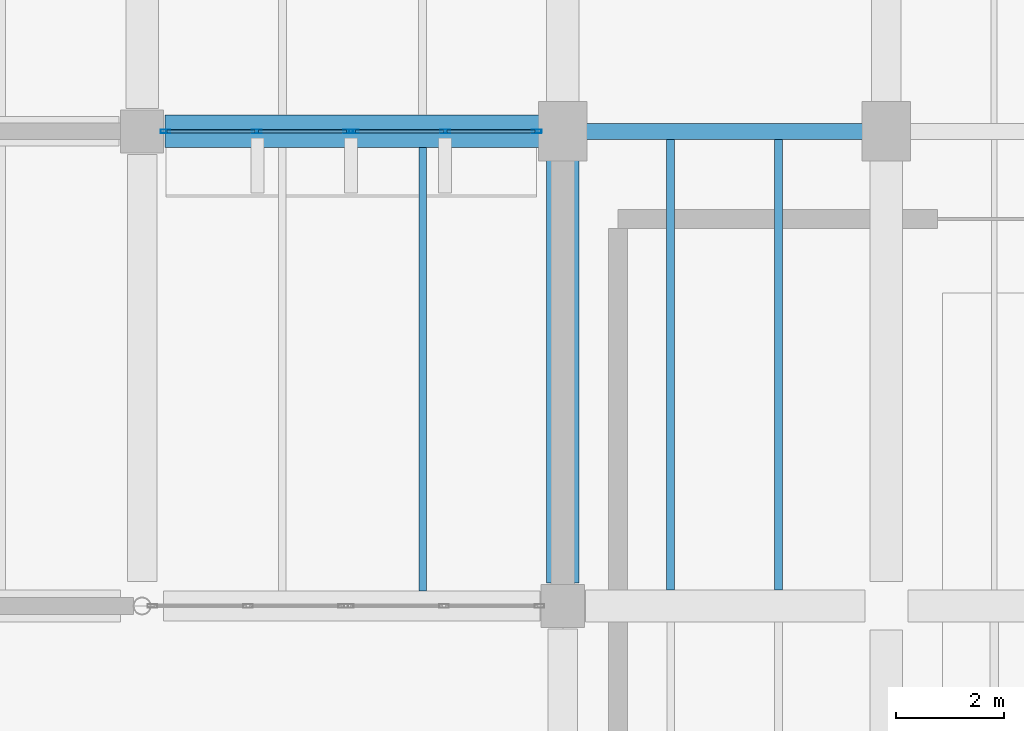
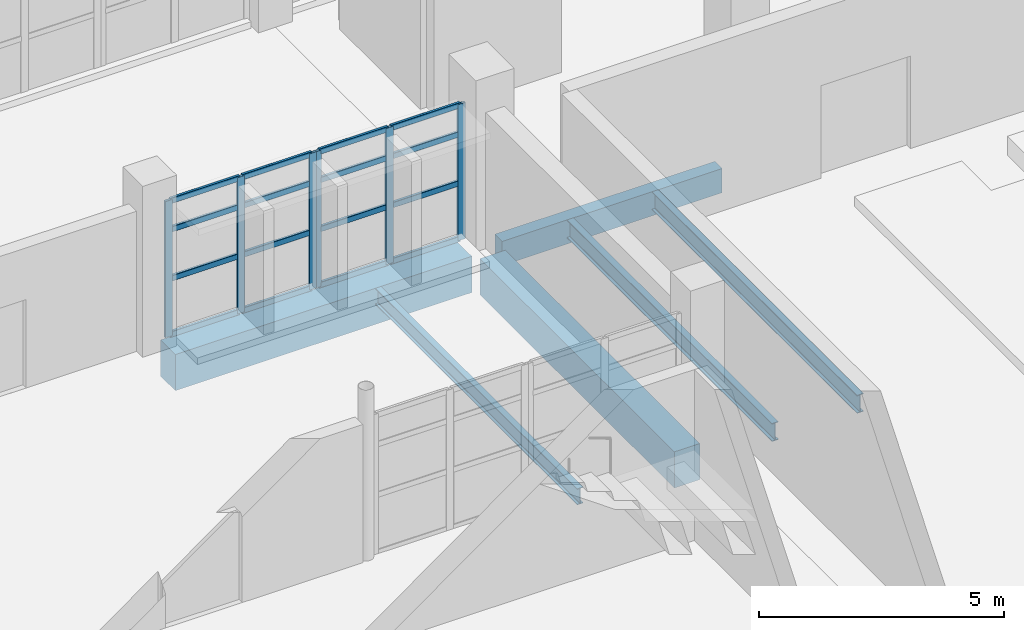
# One storey, part 28 of 76: 22 members, 6 beams, 2 elements without a shape of their own.
"""IFC4 building model written with IfcOpenShell, lengths in metres."""

import ifcopenshell
import ifcopenshell.guid

model = None  # the IFC model being written
_history = None  # IfcOwnerHistory: only IFC2X3 demands one
_inside = {}  # id of a spatial element -> (the spatial element, [elements in it])
_under = {}  # id of a project, library or spatial element -> (it, [spatial elements below it])
_declared = {}  # id of a project -> (the project, [libraries it declares])
_typed = {}  # id of a type object -> (the type object, [elements of that type])
_made_of = {}  # id of a material, layer set ... -> (it, [elements and type objects made of it])


def new_model(schema):
    """Start an empty IFC model of exactly this schema.

    Asked for "IFC4X3", IfcOpenShell would pick the latest addendum, in which some entities
    have other attributes; the version numbers below select the first issue.
    IFC2X3 requires an IfcOwnerHistory on every rooted entity: one is made here for all.
    """
    global model, _history
    if schema == "IFC4X3":
        model = ifcopenshell.file(schema_version=(4, 3, 0, 0))
    else:
        model = ifcopenshell.file(schema=schema)
    _inside.clear()
    _under.clear()
    _declared.clear()
    _typed.clear()
    _made_of.clear()
    _history = None
    if model.schema == "IFC2X3":
        org = make("IfcOrganization", Name="unknown")
        user = make(
            "IfcPersonAndOrganization",
            ThePerson=make("IfcPerson", FamilyName="unknown"),
            TheOrganization=org,
        )
        app = make(
            "IfcApplication",
            ApplicationDeveloper=org,
            Version="unknown",
            ApplicationFullName="unknown",
            ApplicationIdentifier="unknown",
        )
        _history = make(
            "IfcOwnerHistory",
            OwningUser=user,
            OwningApplication=app,
            ChangeAction="ADDED",
            CreationDate=0,
        )
    return model


def make(cls, **values):
    """One entity of the class cls with the attributes given. An attribute that is None is left unset."""
    return model.create_entity(
        cls, **{name: value for name, value in values.items() if value is not None}
    )


def rooted(cls, **values):
    """An entity with a GlobalId (a new one), such as an element, a storey or a relation."""
    return make(cls, GlobalId=ifcopenshell.guid.new(), OwnerHistory=_history, **values)


def si_unit(unit_type, name, prefix=None):
    """IfcSIUnit, for example si_unit("LENGTHUNIT", "METRE", prefix="MILLI")."""
    return make("IfcSIUnit", UnitType=unit_type, Prefix=prefix, Name=name)


def assignment(units):
    """IfcUnitAssignment: the units of a project."""
    return None if units is None else make("IfcUnitAssignment", Units=units)


def point(xyz):
    """IfcCartesianPoint."""
    return None if xyz is None else make("IfcCartesianPoint", Coordinates=xyz)


def direction(xyz):
    """IfcDirection."""
    return None if xyz is None else make("IfcDirection", DirectionRatios=xyz)


def frame(location, z_axis=None, x_axis=None):
    """IfcAxis2Placement3D, a coordinate frame: its origin and axes. An axis left out is left unset."""
    return make(
        "IfcAxis2Placement3D",
        Location=point(location),
        Axis=direction(z_axis),
        RefDirection=direction(x_axis),
    )


def frame_2d(location, x_axis=None):
    """IfcAxis2Placement2D, a coordinate frame in the plane: its origin and x axis."""
    return make(
        "IfcAxis2Placement2D", Location=point(location), RefDirection=direction(x_axis)
    )


def origin():
    """The frame at (0, 0, 0) with its axes left unset."""
    return frame((0.0, 0.0, 0.0))


def origin_2d():
    """The frame at (0, 0) in the plane with its x axis left unset."""
    return frame_2d((0.0, 0.0))


def place(relative_to, where):
    """IfcLocalPlacement: puts the frame where relative to a parent placement (None: the world)."""
    return make(
        "IfcLocalPlacement", PlacementRelTo=relative_to, RelativePlacement=where
    )


def context(
    kind, dimensions, precision=None, world=None, true_north=None, identifier=None
):
    """IfcGeometricRepresentationContext, for example the 3D "Model" context."""
    return make(
        "IfcGeometricRepresentationContext",
        ContextIdentifier=identifier,
        ContextType=kind,
        CoordinateSpaceDimension=dimensions,
        Precision=precision,
        WorldCoordinateSystem=world,
        TrueNorth=true_north,
    )


def subcontext(parent, identifier, kind, view, scale=None):
    """IfcGeometricRepresentationSubContext, for example "Body" below "Model"."""
    return make(
        "IfcGeometricRepresentationSubContext",
        ContextIdentifier=identifier,
        ContextType=kind,
        ParentContext=parent,
        TargetScale=scale,
        TargetView=view,
    )


def project(units=None, contexts=None):
    """IfcProject with its units and contexts."""
    return rooted(
        "IfcProject",
        Name="project",
        RepresentationContexts=contexts,
        UnitsInContext=assignment(units),
    )


def spatial(cls, under=None, at=None, **own):
    """A site, building, storey or space (cls), placed at a placement, below another one or the project."""
    s = rooted(cls, ObjectPlacement=at, **own)
    if under is not None:
        _under.setdefault(under.id(), (under, []))[1].append(s)
    return s


def profile(cls, at=None, kind="AREA", **sizes):
    """A parametric profile (cls). Its sizes go by their IFC names, for example OverallWidth=200.0."""
    return make(cls, ProfileType=kind, Position=at, **sizes)


def rectangle(**sizes):
    """IfcRectangleProfileDef."""
    return profile("IfcRectangleProfileDef", **sizes)


def hollow_rectangle(**sizes):
    """IfcRectangleHollowProfileDef."""
    return profile("IfcRectangleHollowProfileDef", **sizes)


def i_section(**sizes):
    """IfcIShapeProfileDef."""
    return profile("IfcIShapeProfileDef", **sizes)


def extrude(swept, where, along, depth):
    """IfcExtrudedAreaSolid: the profile swept, set in the frame where, extruded along a direction by depth."""
    return make(
        "IfcExtrudedAreaSolid",
        SweptArea=swept,
        Position=where,
        ExtrudedDirection=direction(along),
        Depth=depth,
    )


def shape(context_of_items, identifier, shape_type, items):
    """IfcShapeRepresentation: the items that make up one representation, for example the "Body"."""
    return make(
        "IfcShapeRepresentation",
        ContextOfItems=context_of_items,
        RepresentationIdentifier=identifier,
        RepresentationType=shape_type,
        Items=items,
    )


def material(Name=None, Category=None):
    """IfcMaterial."""
    return make("IfcMaterial", Name=Name, Category=Category)


def material_profile(
    of_material, cross_section, Name=None, Category=None, Priority=None
):
    """IfcMaterialProfile: a cross section and its material."""
    return make(
        "IfcMaterialProfile",
        Name=Name,
        Material=of_material,
        Profile=cross_section,
        Priority=Priority,
        Category=Category,
    )


def profile_set(profiles, Name=None, composite=None):
    """IfcMaterialProfileSet."""
    return make(
        "IfcMaterialProfileSet",
        Name=Name,
        MaterialProfiles=profiles,
        CompositeProfile=composite,
    )


def made_of(thing, what):
    """Note that an element or type object is made of a material, layer set ...; save() writes the relation."""
    if what is not None:
        _made_of.setdefault(what.id(), (what, []))[1].append(thing)
    return thing


def type_object(cls, material=None, **own):
    """A type object (cls), such as IfcWallType, which elements share."""
    return made_of(rooted(cls, **own), material)


def element(
    cls,
    number,
    at=None,
    inside=None,
    cuts=None,
    type_object=None,
    material=None,
    context=None,
    identifier="Body",
    shape_type=None,
    held_by="IfcProductDefinitionShape",
    body=None,
    shapes=None,
    **own,
):
    """One element of the class cls, such as IfcWall. Its Tag is "e" and its number.

    at: its placement. inside: the storey or other place that contains it. cuts: it is an
    opening in that element (IfcRelVoidsElement). A single representation is given by context,
    identifier, shape_type and body (its items); several are given by shapes. held_by: the class
    of the entity that holds the representations. save() writes the other relations.
    """
    e = rooted(cls, Tag="e%d" % number, ObjectPlacement=at, **own)
    if body is not None:
        shapes = [shape(context, identifier, shape_type, body)]
    if shapes is not None:
        e.Representation = make(held_by, Representations=shapes)
    if inside is not None:
        _inside.setdefault(inside.id(), (inside, []))[1].append(e)
    if cuts is not None:
        rooted(
            "IfcRelVoidsElement", RelatingBuildingElement=cuts, RelatedOpeningElement=e
        )
    if type_object is not None:
        _typed.setdefault(type_object.id(), (type_object, []))[1].append(e)
    return made_of(e, material)


def aggregate(whole, parts):
    """IfcRelAggregates: a whole, such as a stair, and the parts it consists of."""
    return rooted("IfcRelAggregates", RelatingObject=whole, RelatedObjects=parts)


def save(model, path):
    """Write the relations noted so far, then the file.

    IfcRelAggregates (storeys below a building ...), IfcRelContainedInSpatialStructure (elements
    in a storey), IfcRelDefinesByType, IfcRelAssociatesMaterial and IfcRelDeclares: one each for
    every whole, place, type object, material and project.
    """
    for whole, parts in _under.values():
        aggregate(whole, parts)
    for where, things in _inside.values():
        rooted(
            "IfcRelContainedInSpatialStructure",
            RelatedElements=things,
            RelatingStructure=where,
        )
    for kind, things in _typed.values():
        rooted("IfcRelDefinesByType", RelatedObjects=things, RelatingType=kind)
    for what, things in _made_of.values():
        rooted("IfcRelAssociatesMaterial", RelatedObjects=things, RelatingMaterial=what)
    for by, libraries in _declared.values():
        rooted("IfcRelDeclares", RelatingContext=by, RelatedDefinitions=libraries)
    model.write(path)


model = new_model("IFC4")

# Units and contexts
model_context = context("Model", 3, precision=1e-05, world=origin(), true_north=direction((0.0, 1.0)))
body_context = subcontext(model_context, "Body", "Model", "MODEL_VIEW")
ifc_project = project(units=[si_unit("LENGTHUNIT", "METRE"), si_unit("AREAUNIT", "SQUARE_METRE"), si_unit("VOLUMEUNIT", "CUBIC_METRE"), si_unit("PLANEANGLEUNIT", "RADIAN"), si_unit("MASSUNIT", "GRAM", prefix="KILO")], contexts=[model_context])

# Site, building, storey
site_placement = place(None, origin())
site = spatial("IfcSite", under=ifc_project, at=site_placement, CompositionType="ELEMENT")
building_placement = place(site_placement, origin())
building = spatial("IfcBuilding", under=site, at=building_placement, Name="Varnakota Cinema and Media Centre", CompositionType="ELEMENT")
storey_placement = place(building_placement, origin())
storey = spatial("IfcBuildingStorey", under=building, at=storey_placement, Name="L00", CompositionType="ELEMENT", Elevation=0.0)

# Beams
ifc_material_1 = material(Name="Concrete M40", Category="concrete")
ifc_material_profile_1 = material_profile(ifc_material_1, rectangle(XDim=0.60009765625, YDim=0.89990234375, at=origin_2d()), Name="RCB 600x900")
ifc_profile_set_1 = profile_set([ifc_material_profile_1], Name="Concrete M40")
beam_type_1 = type_object("IfcBeamType", Name="BM-RC-600x900", PredefinedType="BEAM", material=ifc_profile_set_1)
beam_1_placement = place(storey_placement, frame((67.625, 35.199951171875, -0.72998046875), z_axis=(1.0, 0.0, 0.0), x_axis=(0.0, 1.0, 0.0)))
element("IfcBeam", 1, at=beam_1_placement, inside=storey, type_object=beam_type_1, Name="L00 girder J-K/5", PredefinedType="BEAM", context=body_context, shape_type="SweptSolid", body=[
    extrude(rectangle(XDim=0.60009765625, YDim=0.89990234375, at=origin_2d()), origin(), (0.0, 0.0, 1.0), 6.97509765625),
])
beam_2_placement = place(storey_placement, frame((75.0, 26.824951171875, -0.72998046875), z_axis=(0.0, 1.0, 0.0), x_axis=(-1.0, 0.0, 0.0)))
element("IfcBeam", 2, at=beam_2_placement, inside=storey, type_object=beam_type_1, Name="L00 girder K/4-5", PredefinedType="BEAM", context=body_context, shape_type="SweptSolid", body=[
    extrude(rectangle(XDim=0.60009765625, YDim=0.89990234375, at=origin_2d()), origin(), (0.0, 0.0, 1.0), 7.925048828125),
])
ifc_material_2 = material(Name="Concrete M35", Category="concrete")
ifc_material_profile_2 = material_profile(ifc_material_2, rectangle(XDim=0.300048828125, YDim=0.60009765625, at=origin_2d()), Name="RCB 300x600")
ifc_profile_set_2 = profile_set([ifc_material_profile_2], Name="Concrete M35")
beam_type_2 = type_object("IfcBeamType", Name="BM-SP-300x600", PredefinedType="SPANDREL", material=ifc_profile_set_2)
beam_3_placement = place(storey_placement, frame((75.39990234375, 35.199951171875, -0.580078125), z_axis=(1.0, 0.0, 0.0), x_axis=(0.0, 1.0, 0.0)))
element("IfcBeam", 3, at=beam_3_placement, inside=storey, type_object=beam_type_2, Name="L00 girder K-L/5", PredefinedType="SPANDREL", context=body_context, shape_type="SweptSolid", body=[
    extrude(rectangle(XDim=0.300048828125, YDim=0.60009765625, at=origin_2d()), origin(), (0.0, 0.0, 1.0), 5.175048828125),
])
ifc_material_3 = material(Name="Structural steel Grade 350 (E350)", Category="steel")
ifc_material_profile_3 = material_profile(ifc_material_3, i_section(OverallWidth=0.139892578125, OverallDepth=0.39990234375, WebThickness=0.0087890625, FlangeThickness=0.01611328125, FilletRadius=0.013916015625, at=origin_2d()), Name="ISMB 400")
ifc_profile_set_3 = profile_set([ifc_material_profile_3], Name="Structural steel Grade 350 (E350)")
beam_type_3 = type_object("IfcBeamType", Name="BM-ST-ISMB400", PredefinedType="JOIST", material=ifc_profile_set_3)
beam_4_placement = place(storey_placement, frame((72.39990234375, 26.675048828125, -0.47998046875), z_axis=(0.0, 1.0, 0.0), x_axis=(-1.0, 0.0, 0.0)))
element("IfcBeam", 4, at=beam_4_placement, inside=storey, type_object=beam_type_3, Name="L00 steel joist J-K/4-5 #2", PredefinedType="JOIST", context=body_context, shape_type="SweptSolid", body=[
    extrude(i_section(OverallWidth=0.139892578125, OverallDepth=0.39990234375, WebThickness=0.0087890625, FlangeThickness=0.01611328125, FilletRadius=0.013916015625, at=origin_2d()), origin(), (0.0, 0.0, 1.0), 8.224853515625),
])
ifc_material_4 = material(Name="Structural steel Grade 350 (E350)", Category="steel")
ifc_material_profile_4 = material_profile(ifc_material_4, i_section(OverallWidth=0.14990234375, OverallDepth=0.449951171875, WebThickness=0.009521484375, FlangeThickness=0.017333984375, FilletRadius=0.014892578125, at=origin_2d()), Name="ISMB 450")
ifc_profile_set_4 = profile_set([ifc_material_profile_4], Name="Structural steel Grade 350 (E350)")
beam_type_4 = type_object("IfcBeamType", Name="BM-ST-ISMB450", PredefinedType="BEAM", material=ifc_profile_set_4)
for number, where, z_axis, x_axis, name in (
    (5, (77.0, 26.699951171875, -0.5048828125), (0.0, 1.0, 0.0), (-1.0, 0.0, 0.0), "L00 steel joist K-L/4-5 #1"),
    (6, (79.0, 26.699951171875, -0.5048828125), (0.0, 1.0, 0.0), (-1.0, 0.0, 0.0), "L00 steel joist K-L/4-5 #2"),
):
    element("IfcBeam", number, at=place(storey_placement, frame(where, z_axis=z_axis, x_axis=x_axis)), inside=storey, type_object=beam_type_4, Name=name, PredefinedType="BEAM", context=body_context, shape_type="SweptSolid", body=[
        extrude(i_section(OverallWidth=0.14990234375, OverallDepth=0.449951171875, WebThickness=0.009521484375, FlangeThickness=0.017333984375, FilletRadius=0.014892578125, at=origin_2d()), origin(), (0.0, 0.0, 1.0), 8.35009765625),
    ])

# Curtain wall, members
ifc_material_5 = material(Name="Thermally broken anodised aluminium AW-6063", Category="aluminium")
curtain_wall_type = type_object("IfcCurtainWallType", Name="CW-STD-346x338", PredefinedType="USERDEFINED", material=ifc_material_5)
curtain_wall_1_placement = place(storey_placement, origin())
curtain_wall_1 = element("IfcCurtainWall", 7, at=curtain_wall_1_placement, inside=storey, type_object=curtain_wall_type, Name="L00 curtain wall CW-L00-LINK-S-01-1", ObjectType="UNITISED CURTAIN WALL", PredefinedType="USERDEFINED")
ifc_material_6 = material(Name="Thermally broken anodised aluminium AW-6063", Category="aluminium")
ifc_material_profile_5 = material_profile(ifc_material_6, hollow_rectangle(XDim=0.06494140625, YDim=0.179931640625, WallThickness=0.00390625, InnerFilletRadius=0.00390625, OuterFilletRadius=0.008056640625, at=origin_2d()), Name="AL-MULLION 180x65x4")
ifc_profile_set_5 = profile_set([ifc_material_profile_5], Name="Thermally broken anodised aluminium AW-6063")
member_type_1 = type_object("IfcMemberType", Name="CWM-AL-180", PredefinedType="MULLION", material=ifc_profile_set_5)
member_1_placement = place(storey_placement, frame((74.517578125, 35.199951171875, 0.0), z_axis=(0.0, 0.0, 1.0), x_axis=(0.0, -1.0, 0.0)))
member_1 = element("IfcMember", 8, at=member_1_placement, type_object=member_type_1, Name="CW11 mullion 1", PredefinedType="MULLION", context=body_context, shape_type="SweptSolid", body=[
    extrude(hollow_rectangle(XDim=0.06494140625, YDim=0.179931640625, WallThickness=0.00390625, InnerFilletRadius=0.00390625, OuterFilletRadius=0.008056640625, at=origin_2d()), origin(), (0.0, 0.0, 1.0), 3.385009765625),
])
member_2_placement = place(storey_placement, frame((72.822509765625, 35.199951171875, 0.0), z_axis=(0.0, 0.0, 1.0), x_axis=(0.0, -1.0, 0.0)))
member_2 = element("IfcMember", 9, at=member_2_placement, type_object=member_type_1, Name="CW11 mullion 2", PredefinedType="MULLION", context=body_context, shape_type="SweptSolid", body=[
    extrude(hollow_rectangle(XDim=0.06494140625, YDim=0.179931640625, WallThickness=0.00390625, InnerFilletRadius=0.00390625, OuterFilletRadius=0.008056640625, at=origin_2d()), origin(), (0.0, 0.0, 1.0), 3.385009765625),
])
member_3_placement = place(storey_placement, frame((71.12744140625, 35.199951171875, 0.0), z_axis=(0.0, 0.0, 1.0), x_axis=(0.0, -1.0, 0.0)))
member_3 = element("IfcMember", 10, at=member_3_placement, type_object=member_type_1, Name="CW11 mullion 3", PredefinedType="MULLION", context=body_context, shape_type="SweptSolid", body=[
    extrude(hollow_rectangle(XDim=0.06494140625, YDim=0.179931640625, WallThickness=0.00390625, InnerFilletRadius=0.00390625, OuterFilletRadius=0.008056640625, at=origin_2d()), origin(), (0.0, 0.0, 1.0), 3.385009765625),
])

curtain_wall_2_placement = place(storey_placement, origin())
curtain_wall_2 = element("IfcCurtainWall", 11, at=curtain_wall_2_placement, inside=storey, type_object=curtain_wall_type, Name="L00 curtain wall CW-L00-LINK-S-01-2", ObjectType="UNITISED CURTAIN WALL", PredefinedType="USERDEFINED")
member_4_placement = place(storey_placement, frame((71.0224609375, 35.199951171875, 0.0), z_axis=(0.0, 0.0, 1.0), x_axis=(0.0, -1.0, 0.0)))
member_4 = element("IfcMember", 12, at=member_4_placement, type_object=member_type_1, Name="CW11 mullion 1", PredefinedType="MULLION", context=body_context, shape_type="SweptSolid", body=[
    extrude(hollow_rectangle(XDim=0.06494140625, YDim=0.179931640625, WallThickness=0.00390625, InnerFilletRadius=0.00390625, OuterFilletRadius=0.008056640625, at=origin_2d()), origin(), (0.0, 0.0, 1.0), 3.385009765625),
])
member_5_placement = place(storey_placement, frame((69.327392578125, 35.199951171875, 0.0), z_axis=(0.0, 0.0, 1.0), x_axis=(0.0, -1.0, 0.0)))
member_5 = element("IfcMember", 13, at=member_5_placement, type_object=member_type_1, Name="CW11 mullion 2", PredefinedType="MULLION", context=body_context, shape_type="SweptSolid", body=[
    extrude(hollow_rectangle(XDim=0.06494140625, YDim=0.179931640625, WallThickness=0.00390625, InnerFilletRadius=0.00390625, OuterFilletRadius=0.008056640625, at=origin_2d()), origin(), (0.0, 0.0, 1.0), 3.385009765625),
])
member_6_placement = place(storey_placement, frame((67.632568359375, 35.199951171875, 0.0), z_axis=(0.0, 0.0, 1.0), x_axis=(0.0, -1.0, 0.0)))
member_6 = element("IfcMember", 14, at=member_6_placement, type_object=member_type_1, Name="CW11 mullion 3", PredefinedType="MULLION", context=body_context, shape_type="SweptSolid", body=[
    extrude(hollow_rectangle(XDim=0.06494140625, YDim=0.179931640625, WallThickness=0.00390625, InnerFilletRadius=0.00390625, OuterFilletRadius=0.008056640625, at=origin_2d()), origin(), (0.0, 0.0, 1.0), 3.385009765625),
])

# Member
ifc_material_7 = material(Name="Thermally broken anodised aluminium AW-6063", Category="aluminium")
ifc_material_profile_6 = material_profile(ifc_material_7, hollow_rectangle(XDim=0.06494140625, YDim=0.139892578125, WallThickness=0.00390625, InnerFilletRadius=0.00390625, OuterFilletRadius=0.008056640625, at=origin_2d()), Name="AL-TRANSOM 140x65x4")
ifc_profile_set_6 = profile_set([ifc_material_profile_6], Name="Thermally broken anodised aluminium AW-6063")
member_type_2 = type_object("IfcMemberType", Name="CWT-AL-140", PredefinedType="USERDEFINED", material=ifc_profile_set_6)
member_7_placement = place(storey_placement, frame((74.485107421875, 35.199951171875, 0.032470703125), z_axis=(-1.0, 0.0, 0.0), x_axis=(0.0, -1.0, 0.0)))
member_7 = element("IfcMember", 15, at=member_7_placement, type_object=member_type_2, Name="CW11 transom 1.1", ObjectType="TRANSOM", PredefinedType="USERDEFINED", context=body_context, shape_type="SweptSolid", body=[
    extrude(hollow_rectangle(XDim=0.06494140625, YDim=0.139892578125, WallThickness=0.00390625, InnerFilletRadius=0.00390625, OuterFilletRadius=0.008056640625, at=origin_2d()), origin(), (0.0, 0.0, 1.0), 1.630126953125),
])

member_8_placement = place(storey_placement, frame((74.485107421875, 35.199951171875, 1.421630859375), z_axis=(-1.0, 0.0, 0.0), x_axis=(0.0, -1.0, 0.0)))
member_8 = element("IfcMember", 16, at=member_8_placement, type_object=member_type_2, Name="CW11 transom 1.2", ObjectType="TRANSOM", PredefinedType="USERDEFINED", context=body_context, shape_type="SweptSolid", body=[
    extrude(hollow_rectangle(XDim=0.06494140625, YDim=0.139892578125, WallThickness=0.00390625, InnerFilletRadius=0.00390625, OuterFilletRadius=0.008056640625, at=origin_2d()), origin(), (0.0, 0.0, 1.0), 1.630126953125),
])

member_9_placement = place(storey_placement, frame((74.485107421875, 35.199951171875, 2.640380859375), z_axis=(-1.0, 0.0, 0.0), x_axis=(0.0, -1.0, 0.0)))
member_9 = element("IfcMember", 17, at=member_9_placement, type_object=member_type_2, Name="CW11 transom 1.3", ObjectType="TRANSOM", PredefinedType="USERDEFINED", context=body_context, shape_type="SweptSolid", body=[
    extrude(hollow_rectangle(XDim=0.06494140625, YDim=0.139892578125, WallThickness=0.00390625, InnerFilletRadius=0.00390625, OuterFilletRadius=0.008056640625, at=origin_2d()), origin(), (0.0, 0.0, 1.0), 1.630126953125),
])

member_10_placement = place(storey_placement, frame((74.485107421875, 35.199951171875, 3.3525390625), z_axis=(-1.0, 0.0, 0.0), x_axis=(0.0, -1.0, 0.0)))
member_10 = element("IfcMember", 18, at=member_10_placement, type_object=member_type_2, Name="CW11 transom 1.4", ObjectType="TRANSOM", PredefinedType="USERDEFINED", context=body_context, shape_type="SweptSolid", body=[
    extrude(hollow_rectangle(XDim=0.06494140625, YDim=0.139892578125, WallThickness=0.00390625, InnerFilletRadius=0.00390625, OuterFilletRadius=0.008056640625, at=origin_2d()), origin(), (0.0, 0.0, 1.0), 1.630126953125),
])

member_11_placement = place(storey_placement, frame((72.7900390625, 35.199951171875, 0.032470703125), z_axis=(-1.0, 0.0, 0.0), x_axis=(0.0, -1.0, 0.0)))
member_11 = element("IfcMember", 19, at=member_11_placement, type_object=member_type_2, Name="CW11 transom 2.1", ObjectType="TRANSOM", PredefinedType="USERDEFINED", context=body_context, shape_type="SweptSolid", body=[
    extrude(hollow_rectangle(XDim=0.06494140625, YDim=0.139892578125, WallThickness=0.00390625, InnerFilletRadius=0.00390625, OuterFilletRadius=0.008056640625, at=origin_2d()), origin(), (0.0, 0.0, 1.0), 1.630126953125),
])

member_12_placement = place(storey_placement, frame((72.7900390625, 35.199951171875, 1.421630859375), z_axis=(-1.0, 0.0, 0.0), x_axis=(0.0, -1.0, 0.0)))
member_12 = element("IfcMember", 20, at=member_12_placement, type_object=member_type_2, Name="CW11 transom 2.2", ObjectType="TRANSOM", PredefinedType="USERDEFINED", context=body_context, shape_type="SweptSolid", body=[
    extrude(hollow_rectangle(XDim=0.06494140625, YDim=0.139892578125, WallThickness=0.00390625, InnerFilletRadius=0.00390625, OuterFilletRadius=0.008056640625, at=origin_2d()), origin(), (0.0, 0.0, 1.0), 1.630126953125),
])

member_13_placement = place(storey_placement, frame((72.7900390625, 35.199951171875, 2.640380859375), z_axis=(-1.0, 0.0, 0.0), x_axis=(0.0, -1.0, 0.0)))
member_13 = element("IfcMember", 21, at=member_13_placement, type_object=member_type_2, Name="CW11 transom 2.3", ObjectType="TRANSOM", PredefinedType="USERDEFINED", context=body_context, shape_type="SweptSolid", body=[
    extrude(hollow_rectangle(XDim=0.06494140625, YDim=0.139892578125, WallThickness=0.00390625, InnerFilletRadius=0.00390625, OuterFilletRadius=0.008056640625, at=origin_2d()), origin(), (0.0, 0.0, 1.0), 1.630126953125),
])

member_14_placement = place(storey_placement, frame((72.7900390625, 35.199951171875, 3.3525390625), z_axis=(-1.0, 0.0, 0.0), x_axis=(0.0, -1.0, 0.0)))
member_14 = element("IfcMember", 22, at=member_14_placement, type_object=member_type_2, Name="CW11 transom 2.4", ObjectType="TRANSOM", PredefinedType="USERDEFINED", context=body_context, shape_type="SweptSolid", body=[
    extrude(hollow_rectangle(XDim=0.06494140625, YDim=0.139892578125, WallThickness=0.00390625, InnerFilletRadius=0.00390625, OuterFilletRadius=0.008056640625, at=origin_2d()), origin(), (0.0, 0.0, 1.0), 1.630126953125),
])

aggregate(curtain_wall_1, [member_1, member_2, member_3, member_7, member_8, member_9, member_10, member_11, member_12, member_13, member_14])

member_15_placement = place(storey_placement, frame((70.989990234375, 35.199951171875, 0.032470703125), z_axis=(-1.0, 0.0, 0.0), x_axis=(0.0, -1.0, 0.0)))
member_15 = element("IfcMember", 23, at=member_15_placement, type_object=member_type_2, Name="CW11 transom 1.1", ObjectType="TRANSOM", PredefinedType="USERDEFINED", context=body_context, shape_type="SweptSolid", body=[
    extrude(hollow_rectangle(XDim=0.06494140625, YDim=0.139892578125, WallThickness=0.00390625, InnerFilletRadius=0.00390625, OuterFilletRadius=0.008056640625, at=origin_2d()), origin(), (0.0, 0.0, 1.0), 1.6298828125),
])

member_16_placement = place(storey_placement, frame((70.989990234375, 35.199951171875, 1.421630859375), z_axis=(-1.0, 0.0, 0.0), x_axis=(0.0, -1.0, 0.0)))
member_16 = element("IfcMember", 24, at=member_16_placement, type_object=member_type_2, Name="CW11 transom 1.2", ObjectType="TRANSOM", PredefinedType="USERDEFINED", context=body_context, shape_type="SweptSolid", body=[
    extrude(hollow_rectangle(XDim=0.06494140625, YDim=0.139892578125, WallThickness=0.00390625, InnerFilletRadius=0.00390625, OuterFilletRadius=0.008056640625, at=origin_2d()), origin(), (0.0, 0.0, 1.0), 1.6298828125),
])

member_17_placement = place(storey_placement, frame((70.989990234375, 35.199951171875, 2.640380859375), z_axis=(-1.0, 0.0, 0.0), x_axis=(0.0, -1.0, 0.0)))
member_17 = element("IfcMember", 25, at=member_17_placement, type_object=member_type_2, Name="CW11 transom 1.3", ObjectType="TRANSOM", PredefinedType="USERDEFINED", context=body_context, shape_type="SweptSolid", body=[
    extrude(hollow_rectangle(XDim=0.06494140625, YDim=0.139892578125, WallThickness=0.00390625, InnerFilletRadius=0.00390625, OuterFilletRadius=0.008056640625, at=origin_2d()), origin(), (0.0, 0.0, 1.0), 1.6298828125),
])

member_18_placement = place(storey_placement, frame((70.989990234375, 35.199951171875, 3.3525390625), z_axis=(-1.0, 0.0, 0.0), x_axis=(0.0, -1.0, 0.0)))
member_18 = element("IfcMember", 26, at=member_18_placement, type_object=member_type_2, Name="CW11 transom 1.4", ObjectType="TRANSOM", PredefinedType="USERDEFINED", context=body_context, shape_type="SweptSolid", body=[
    extrude(hollow_rectangle(XDim=0.06494140625, YDim=0.139892578125, WallThickness=0.00390625, InnerFilletRadius=0.00390625, OuterFilletRadius=0.008056640625, at=origin_2d()), origin(), (0.0, 0.0, 1.0), 1.6298828125),
])

member_19_placement = place(storey_placement, frame((69.294921875, 35.199951171875, 0.032470703125), z_axis=(-1.0, 0.0, 0.0), x_axis=(0.0, -1.0, 0.0)))
member_19 = element("IfcMember", 27, at=member_19_placement, type_object=member_type_2, Name="CW11 transom 2.1", ObjectType="TRANSOM", PredefinedType="USERDEFINED", context=body_context, shape_type="SweptSolid", body=[
    extrude(hollow_rectangle(XDim=0.06494140625, YDim=0.139892578125, WallThickness=0.00390625, InnerFilletRadius=0.00390625, OuterFilletRadius=0.008056640625, at=origin_2d()), origin(), (0.0, 0.0, 1.0), 1.6298828125),
])

member_20_placement = place(storey_placement, frame((69.294921875, 35.199951171875, 1.421630859375), z_axis=(-1.0, 0.0, 0.0), x_axis=(0.0, -1.0, 0.0)))
member_20 = element("IfcMember", 28, at=member_20_placement, type_object=member_type_2, Name="CW11 transom 2.2", ObjectType="TRANSOM", PredefinedType="USERDEFINED", context=body_context, shape_type="SweptSolid", body=[
    extrude(hollow_rectangle(XDim=0.06494140625, YDim=0.139892578125, WallThickness=0.00390625, InnerFilletRadius=0.00390625, OuterFilletRadius=0.008056640625, at=origin_2d()), origin(), (0.0, 0.0, 1.0), 1.6298828125),
])

member_21_placement = place(storey_placement, frame((69.294921875, 35.199951171875, 2.640380859375), z_axis=(-1.0, 0.0, 0.0), x_axis=(0.0, -1.0, 0.0)))
member_21 = element("IfcMember", 29, at=member_21_placement, type_object=member_type_2, Name="CW11 transom 2.3", ObjectType="TRANSOM", PredefinedType="USERDEFINED", context=body_context, shape_type="SweptSolid", body=[
    extrude(hollow_rectangle(XDim=0.06494140625, YDim=0.139892578125, WallThickness=0.00390625, InnerFilletRadius=0.00390625, OuterFilletRadius=0.008056640625, at=origin_2d()), origin(), (0.0, 0.0, 1.0), 1.6298828125),
])

member_22_placement = place(storey_placement, frame((69.294921875, 35.199951171875, 3.3525390625), z_axis=(-1.0, 0.0, 0.0), x_axis=(0.0, -1.0, 0.0)))
member_22 = element("IfcMember", 30, at=member_22_placement, type_object=member_type_2, Name="CW11 transom 2.4", ObjectType="TRANSOM", PredefinedType="USERDEFINED", context=body_context, shape_type="SweptSolid", body=[
    extrude(hollow_rectangle(XDim=0.06494140625, YDim=0.139892578125, WallThickness=0.00390625, InnerFilletRadius=0.00390625, OuterFilletRadius=0.008056640625, at=origin_2d()), origin(), (0.0, 0.0, 1.0), 1.6298828125),
])

aggregate(curtain_wall_2, [member_4, member_5, member_6, member_15, member_16, member_17, member_18, member_19, member_20, member_21, member_22])

save(model, "model.ifc")
